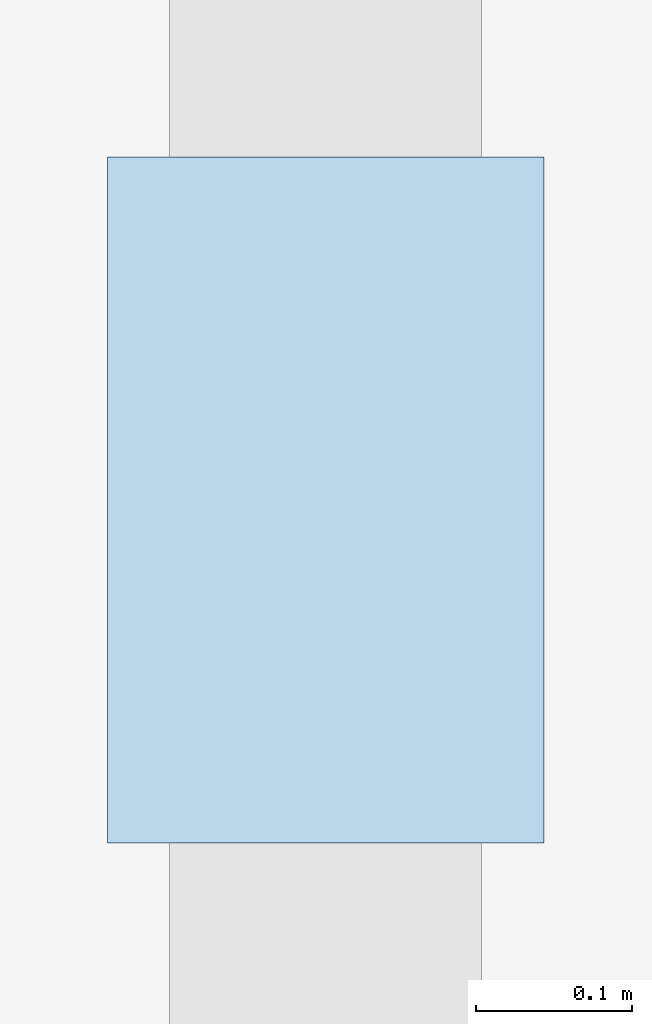
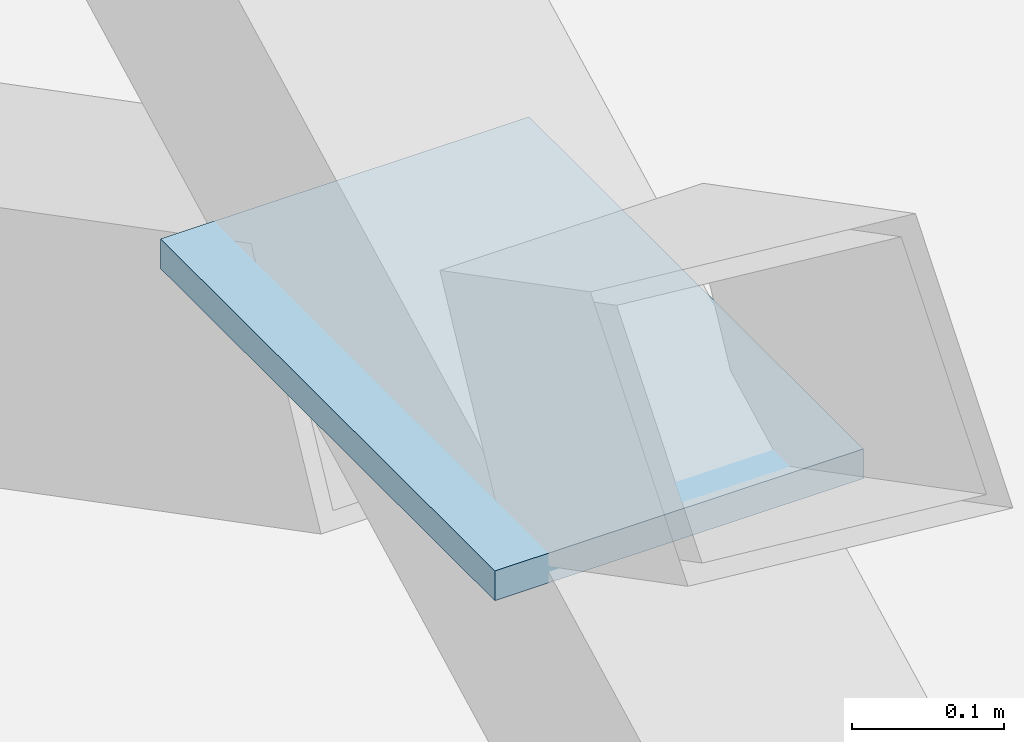
# One storey, part 66 of 98: 1 plate.
"""IFC4 building model written with IfcOpenShell, lengths in metres."""

import ifcopenshell
import ifcopenshell.guid

model = None  # the IFC model being written
_history = None  # IfcOwnerHistory: only IFC2X3 demands one
_inside = {}  # id of a spatial element -> (the spatial element, [elements in it])
_under = {}  # id of a project, library or spatial element -> (it, [spatial elements below it])
_declared = {}  # id of a project -> (the project, [libraries it declares])
_typed = {}  # id of a type object -> (the type object, [elements of that type])
_made_of = {}  # id of a material, layer set ... -> (it, [elements and type objects made of it])


def new_model(schema):
    """Start an empty IFC model of exactly this schema.

    Asked for "IFC4X3", IfcOpenShell would pick the latest addendum, in which some entities
    have other attributes; the version numbers below select the first issue.
    IFC2X3 requires an IfcOwnerHistory on every rooted entity: one is made here for all.
    """
    global model, _history
    if schema == "IFC4X3":
        model = ifcopenshell.file(schema_version=(4, 3, 0, 0))
    else:
        model = ifcopenshell.file(schema=schema)
    _inside.clear()
    _under.clear()
    _declared.clear()
    _typed.clear()
    _made_of.clear()
    _history = None
    if model.schema == "IFC2X3":
        org = make("IfcOrganization", Name="unknown")
        user = make(
            "IfcPersonAndOrganization",
            ThePerson=make("IfcPerson", FamilyName="unknown"),
            TheOrganization=org,
        )
        app = make(
            "IfcApplication",
            ApplicationDeveloper=org,
            Version="unknown",
            ApplicationFullName="unknown",
            ApplicationIdentifier="unknown",
        )
        _history = make(
            "IfcOwnerHistory",
            OwningUser=user,
            OwningApplication=app,
            ChangeAction="ADDED",
            CreationDate=0,
        )
    return model


def make(cls, **values):
    """One entity of the class cls with the attributes given. An attribute that is None is left unset."""
    return model.create_entity(
        cls, **{name: value for name, value in values.items() if value is not None}
    )


def rooted(cls, **values):
    """An entity with a GlobalId (a new one), such as an element, a storey or a relation."""
    return make(cls, GlobalId=ifcopenshell.guid.new(), OwnerHistory=_history, **values)


def si_unit(unit_type, name, prefix=None):
    """IfcSIUnit, for example si_unit("LENGTHUNIT", "METRE", prefix="MILLI")."""
    return make("IfcSIUnit", UnitType=unit_type, Prefix=prefix, Name=name)


def assignment(units):
    """IfcUnitAssignment: the units of a project."""
    return None if units is None else make("IfcUnitAssignment", Units=units)


def point(xyz):
    """IfcCartesianPoint."""
    return None if xyz is None else make("IfcCartesianPoint", Coordinates=xyz)


def direction(xyz):
    """IfcDirection."""
    return None if xyz is None else make("IfcDirection", DirectionRatios=xyz)


def frame(location, z_axis=None, x_axis=None):
    """IfcAxis2Placement3D, a coordinate frame: its origin and axes. An axis left out is left unset."""
    return make(
        "IfcAxis2Placement3D",
        Location=point(location),
        Axis=direction(z_axis),
        RefDirection=direction(x_axis),
    )


def frame_2d(location, x_axis=None):
    """IfcAxis2Placement2D, a coordinate frame in the plane: its origin and x axis."""
    return make(
        "IfcAxis2Placement2D", Location=point(location), RefDirection=direction(x_axis)
    )


def origin():
    """The frame at (0, 0, 0) with its axes left unset."""
    return frame((0.0, 0.0, 0.0))


def origin_2d():
    """The frame at (0, 0) in the plane with its x axis left unset."""
    return frame_2d((0.0, 0.0))


def place(relative_to, where):
    """IfcLocalPlacement: puts the frame where relative to a parent placement (None: the world)."""
    return make(
        "IfcLocalPlacement", PlacementRelTo=relative_to, RelativePlacement=where
    )


def context(
    kind, dimensions, precision=None, world=None, true_north=None, identifier=None
):
    """IfcGeometricRepresentationContext, for example the 3D "Model" context."""
    return make(
        "IfcGeometricRepresentationContext",
        ContextIdentifier=identifier,
        ContextType=kind,
        CoordinateSpaceDimension=dimensions,
        Precision=precision,
        WorldCoordinateSystem=world,
        TrueNorth=true_north,
    )


def subcontext(parent, identifier, kind, view, scale=None):
    """IfcGeometricRepresentationSubContext, for example "Body" below "Model"."""
    return make(
        "IfcGeometricRepresentationSubContext",
        ContextIdentifier=identifier,
        ContextType=kind,
        ParentContext=parent,
        TargetScale=scale,
        TargetView=view,
    )


def project(units=None, contexts=None):
    """IfcProject with its units and contexts."""
    return rooted(
        "IfcProject",
        Name="project",
        RepresentationContexts=contexts,
        UnitsInContext=assignment(units),
    )


def spatial(cls, under=None, at=None, **own):
    """A site, building, storey or space (cls), placed at a placement, below another one or the project."""
    s = rooted(cls, ObjectPlacement=at, **own)
    if under is not None:
        _under.setdefault(under.id(), (under, []))[1].append(s)
    return s


def profile(cls, at=None, kind="AREA", **sizes):
    """A parametric profile (cls). Its sizes go by their IFC names, for example OverallWidth=200.0."""
    return make(cls, ProfileType=kind, Position=at, **sizes)


def rectangle(**sizes):
    """IfcRectangleProfileDef."""
    return profile("IfcRectangleProfileDef", **sizes)


def extrude(swept, where, along, depth):
    """IfcExtrudedAreaSolid: the profile swept, set in the frame where, extruded along a direction by depth."""
    return make(
        "IfcExtrudedAreaSolid",
        SweptArea=swept,
        Position=where,
        ExtrudedDirection=direction(along),
        Depth=depth,
    )


def shape(context_of_items, identifier, shape_type, items):
    """IfcShapeRepresentation: the items that make up one representation, for example the "Body"."""
    return make(
        "IfcShapeRepresentation",
        ContextOfItems=context_of_items,
        RepresentationIdentifier=identifier,
        RepresentationType=shape_type,
        Items=items,
    )


def material(Name=None, Category=None):
    """IfcMaterial."""
    return make("IfcMaterial", Name=Name, Category=Category)


def layer(
    of_material, thickness, ventilated=None, Name=None, Category=None, Priority=None
):
    """IfcMaterialLayer: one layer of a wall or slab, of a material (None: an air gap)."""
    return make(
        "IfcMaterialLayer",
        Material=of_material,
        LayerThickness=thickness,
        IsVentilated=ventilated,
        Name=Name,
        Category=Category,
        Priority=Priority,
    )


def layer_set(layers, Name=None):
    """IfcMaterialLayerSet."""
    return make("IfcMaterialLayerSet", MaterialLayers=layers, LayerSetName=Name)


def made_of(thing, what):
    """Note that an element or type object is made of a material, layer set ...; save() writes the relation."""
    if what is not None:
        _made_of.setdefault(what.id(), (what, []))[1].append(thing)
    return thing


def type_object(cls, material=None, **own):
    """A type object (cls), such as IfcWallType, which elements share."""
    return made_of(rooted(cls, **own), material)


def element(
    cls,
    number,
    at=None,
    inside=None,
    cuts=None,
    type_object=None,
    material=None,
    context=None,
    identifier="Body",
    shape_type=None,
    held_by="IfcProductDefinitionShape",
    body=None,
    shapes=None,
    **own,
):
    """One element of the class cls, such as IfcWall. Its Tag is "e" and its number.

    at: its placement. inside: the storey or other place that contains it. cuts: it is an
    opening in that element (IfcRelVoidsElement). A single representation is given by context,
    identifier, shape_type and body (its items); several are given by shapes. held_by: the class
    of the entity that holds the representations. save() writes the other relations.
    """
    e = rooted(cls, Tag="e%d" % number, ObjectPlacement=at, **own)
    if body is not None:
        shapes = [shape(context, identifier, shape_type, body)]
    if shapes is not None:
        e.Representation = make(held_by, Representations=shapes)
    if inside is not None:
        _inside.setdefault(inside.id(), (inside, []))[1].append(e)
    if cuts is not None:
        rooted(
            "IfcRelVoidsElement", RelatingBuildingElement=cuts, RelatedOpeningElement=e
        )
    if type_object is not None:
        _typed.setdefault(type_object.id(), (type_object, []))[1].append(e)
    return made_of(e, material)


def aggregate(whole, parts):
    """IfcRelAggregates: a whole, such as a stair, and the parts it consists of."""
    return rooted("IfcRelAggregates", RelatingObject=whole, RelatedObjects=parts)


def save(model, path):
    """Write the relations noted so far, then the file.

    IfcRelAggregates (storeys below a building ...), IfcRelContainedInSpatialStructure (elements
    in a storey), IfcRelDefinesByType, IfcRelAssociatesMaterial and IfcRelDeclares: one each for
    every whole, place, type object, material and project.
    """
    for whole, parts in _under.values():
        aggregate(whole, parts)
    for where, things in _inside.values():
        rooted(
            "IfcRelContainedInSpatialStructure",
            RelatedElements=things,
            RelatingStructure=where,
        )
    for kind, things in _typed.values():
        rooted("IfcRelDefinesByType", RelatedObjects=things, RelatingType=kind)
    for what, things in _made_of.values():
        rooted("IfcRelAssociatesMaterial", RelatedObjects=things, RelatingMaterial=what)
    for by, libraries in _declared.values():
        rooted("IfcRelDeclares", RelatingContext=by, RelatedDefinitions=libraries)
    model.write(path)


model = new_model("IFC4")

# Units and contexts
model_context = context("Model", 3, precision=1e-05, world=origin(), true_north=direction((0.0, 1.0)))
body_context = subcontext(model_context, "Body", "Model", "MODEL_VIEW")
ifc_project = project(units=[si_unit("LENGTHUNIT", "METRE"), si_unit("AREAUNIT", "SQUARE_METRE"), si_unit("VOLUMEUNIT", "CUBIC_METRE"), si_unit("PLANEANGLEUNIT", "RADIAN"), si_unit("MASSUNIT", "GRAM", prefix="KILO")], contexts=[model_context])

# Site, building, storey
site_placement = place(None, origin())
site = spatial("IfcSite", under=ifc_project, at=site_placement, CompositionType="ELEMENT")
building_placement = place(site_placement, origin())
building = spatial("IfcBuilding", under=site, at=building_placement, Name="Nabrawat Pavilion Hospital", CompositionType="ELEMENT")
storey_placement = place(building_placement, frame((0.0, 0.0, 10.199951171875)))
storey = spatial("IfcBuildingStorey", under=building, at=storey_placement, Name="L02", CompositionType="ELEMENT", Elevation=10.199951171875)

# Plate
ifc_material = material(Name="Steel S355", Category="steel")
ifc_layer = layer(ifc_material, 0.02392578125, Name="Steel S355")
ifc_layer_set = layer_set([ifc_layer], Name="Steel S355")
plate_type = type_object("IfcPlateType", Name="X-Brace Crossing Gusset Plate 440x280x24", PredefinedType="USERDEFINED", material=ifc_layer_set)
plate_placement = place(storey_placement, frame((33.60009765625, 27.300048828125, 2.06298828125), z_axis=(0.0, 0.0, 1.0), x_axis=(1.0, 0.0, 0.0)))
element("IfcPlate", 1, at=plate_placement, inside=storey, type_object=plate_type, Name="L02 Split X-Brace Crossing Gusset Plate 04", ObjectType="GUSSET PLATE", PredefinedType="USERDEFINED", context=body_context, shape_type="SweptSolid", body=[
    extrude(rectangle(XDim=0.280029296875, YDim=0.43994140625, at=origin_2d()), origin(), (0.0, 0.0, 1.0), 0.02392578125),
])

save(model, "model.ifc")
